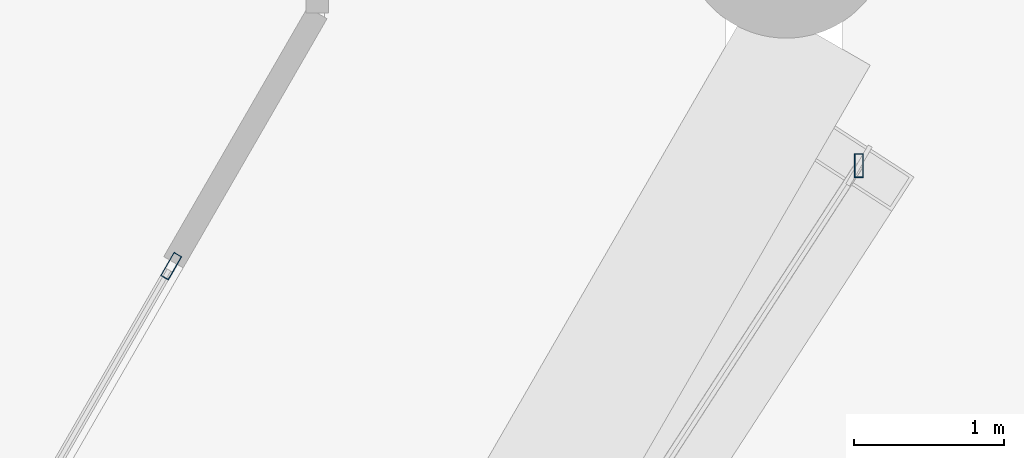
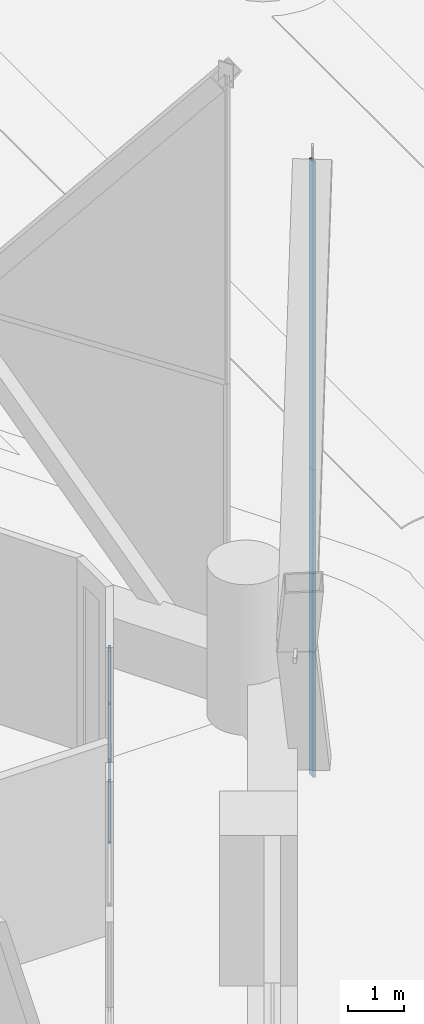
# One storey, part 36 of 71: 3 members, 2 elements without a shape of their own.
"""IFC4 building model written with IfcOpenShell, lengths in metres."""

from ifc_helpers import new_model, si_unit, direction, frame, origin, origin_2d, place, context, subcontext, project, spatial, hollow_rectangle, extrude, material, material_profile, profile_set, type_object, element, aggregate, save


model = new_model("IFC4")

# Units and contexts
model_context = context("Model", 3, precision=1e-05, world=origin(), true_north=direction((0.0, 1.0)))
body_context = subcontext(model_context, "Body", "Model", "MODEL_VIEW")
ifc_project = project(units=[si_unit("LENGTHUNIT", "METRE"), si_unit("AREAUNIT", "SQUARE_METRE"), si_unit("VOLUMEUNIT", "CUBIC_METRE"), si_unit("PLANEANGLEUNIT", "RADIAN"), si_unit("MASSUNIT", "GRAM", prefix="KILO")], contexts=[model_context])

# Site, building, storey
site_placement = place(None, origin())
site = spatial("IfcSite", under=ifc_project, at=site_placement, CompositionType="ELEMENT")
building_placement = place(site_placement, origin())
building = spatial("IfcBuilding", under=site, at=building_placement, Name="Ostrander Bayou Hotel Tower", CompositionType="ELEMENT")
storey_placement = place(building_placement, frame((0.0, 0.0, 10.0)))
storey = spatial("IfcBuildingStorey", under=building, at=storey_placement, Name="L02", CompositionType="ELEMENT", Elevation=10.0)

# Curtain wall, members
ifc_material_1 = material(Name="Aluminium and clear glass", Category="aluminium")
curtain_wall_type_1 = type_object("IfcCurtainWallType", Name="CW-LAT lattice glazing", PredefinedType="NOTDEFINED", material=ifc_material_1)
curtain_wall_1_placement = place(storey_placement, origin())
curtain_wall_1 = element("IfcCurtainWall", 1, at=curtain_wall_1_placement, inside=storey, type_object=curtain_wall_type_1, Name="CW-LAT L02 SE 1", PredefinedType="NOTDEFINED")
ifc_material_2 = material(Name="Aluminium", Category="aluminium")
ifc_material_profile_1 = material_profile(ifc_material_2, hollow_rectangle(XDim=0.06005859375, YDim=0.159912109375, WallThickness=0.00390625, at=origin_2d()))
ifc_profile_set_1 = profile_set([ifc_material_profile_1], Name="Aluminium")
member_type_1 = type_object("IfcMemberType", Name="CW-LA mullion 60 x 160 mm", PredefinedType="MULLION", material=ifc_profile_set_1)
member_1_placement = place(storey_placement, frame((24.58837890625, -1.551513671875, -0.60009765625), z_axis=(0.0, 0.0, 1.0), x_axis=(1.0, 0.0, 0.0)))
member_1 = element("IfcMember", 2, at=member_1_placement, type_object=member_type_1, Name="CW-LAT mullion 4", PredefinedType="MULLION", context=body_context, shape_type="SweptSolid", body=[
    extrude(hollow_rectangle(XDim=0.06005859375, YDim=0.159912109375, WallThickness=0.00390625, at=origin_2d()), origin(), (0.0, 0.0, 1.0), 6.75),
])
member_2_placement = place(storey_placement, frame((24.58837890625, -1.551513671875, 6.14990234375), z_axis=(0.0, 0.0, 1.0), x_axis=(1.0, 0.0, 0.0)))
member_2 = element("IfcMember", 3, at=member_2_placement, type_object=member_type_1, Name="CW-LAT mullion 5", PredefinedType="MULLION", context=body_context, shape_type="SweptSolid", body=[
    extrude(hollow_rectangle(XDim=0.06005859375, YDim=0.159912109375, WallThickness=0.00390625, at=origin_2d()), origin(), (0.0, 0.0, 1.0), 6.75),
])
aggregate(curtain_wall_1, [member_1, member_2])

# Curtain wall, member
ifc_material_3 = material(Name="Aluminium and clear glass", Category="aluminium")
curtain_wall_type_2 = type_object("IfcCurtainWallType", Name="CW-SKY amenity glass wall", PredefinedType="NOTDEFINED", material=ifc_material_3)
curtain_wall_2_placement = place(storey_placement, origin())
curtain_wall_2 = element("IfcCurtainWall", 4, at=curtain_wall_2_placement, inside=storey, type_object=curtain_wall_type_2, Name="CW-SKY L02 SE 4", PredefinedType="NOTDEFINED")
ifc_material_4 = material(Name="Aluminium", Category="aluminium")
ifc_material_profile_2 = material_profile(ifc_material_4, hollow_rectangle(XDim=0.06005859375, YDim=0.179931640625, WallThickness=0.00390625, at=origin_2d()))
ifc_profile_set_2 = profile_set([ifc_material_profile_2], Name="Aluminium")
member_type_2 = type_object("IfcMemberType", Name="CW-SK mullion 60 x 180 mm", PredefinedType="MULLION", material=ifc_profile_set_2)
member_3_placement = place(storey_placement, frame((19.991455078125, -2.2236328125, 0.0), z_axis=(0.0, 0.0, 1.0), x_axis=(-0.866025997283, 0.499998972029, 0.0)))
member_3 = element("IfcMember", 5, at=member_3_placement, type_object=member_type_2, Name="CW-SKY mullion 3", PredefinedType="MULLION", context=body_context, shape_type="SweptSolid", body=[
    extrude(hollow_rectangle(XDim=0.06005859375, YDim=0.179931640625, WallThickness=0.00390625, at=origin_2d()), origin(), (0.0, 0.0, 1.0), 4.199951171875),
])
aggregate(curtain_wall_2, [member_3])

save(model, "model.ifc")
